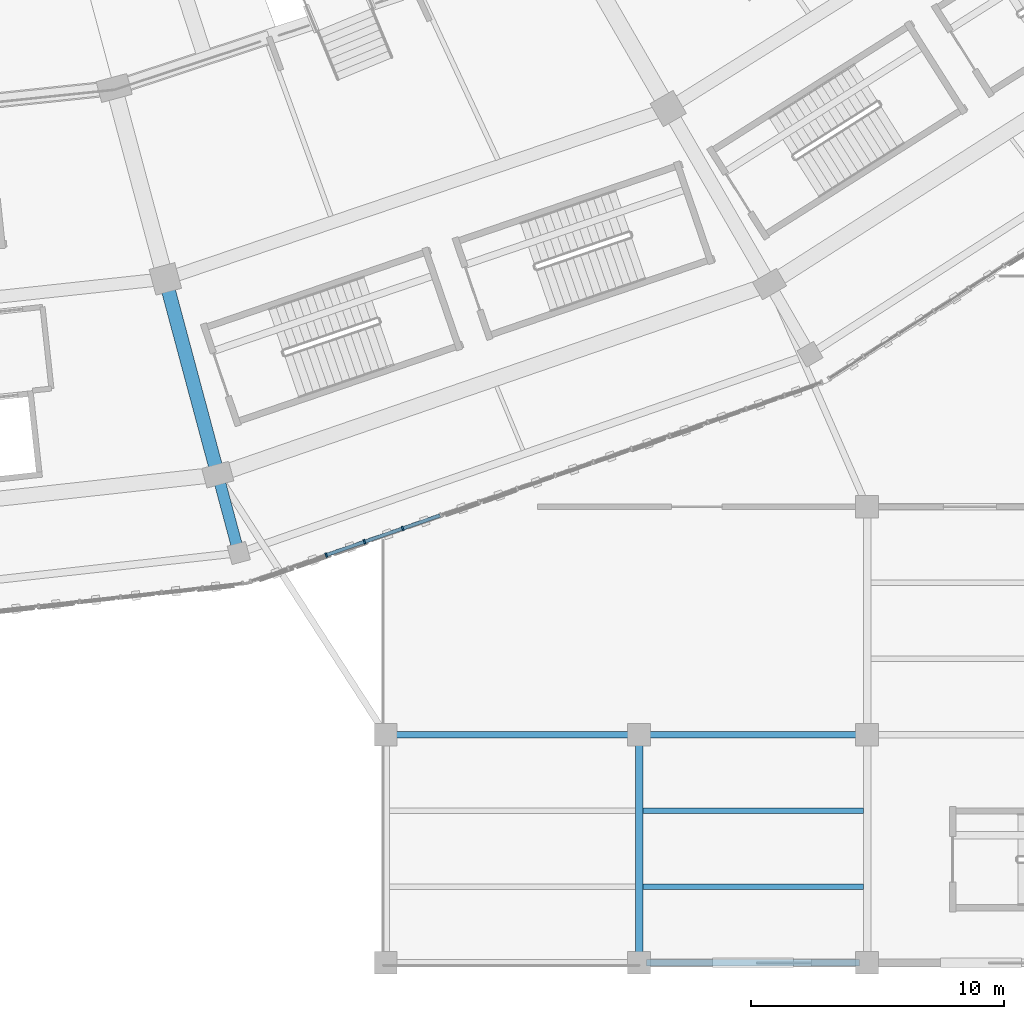
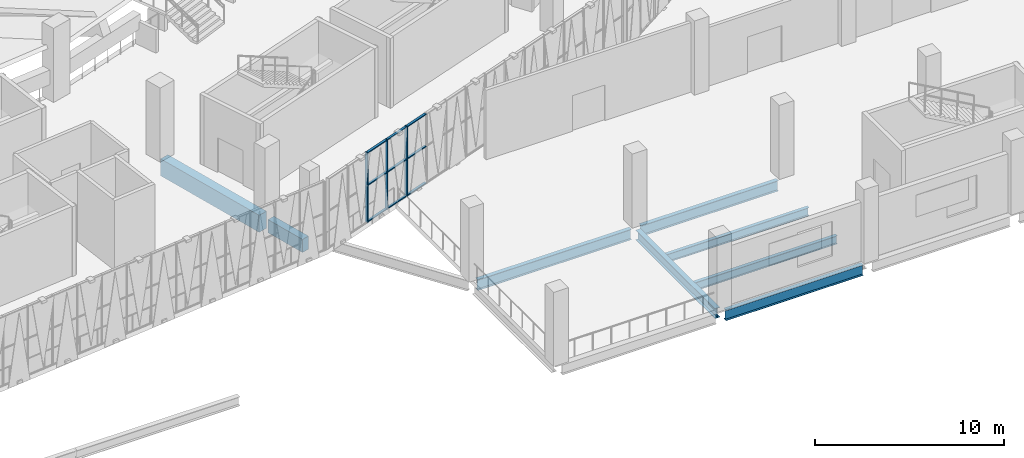
# One storey, part 27 of 183: 12 members, 8 beams, 1 element without a shape of its own.
"""IFC4 building model written with IfcOpenShell, lengths in metres."""

from ifc_helpers import new_model, si_unit, direction, frame, origin, origin_2d, place, context, subcontext, project, spatial, rectangle, i_section, extrude, material, material_profile, profile_set, type_object, element, aggregate, save


model = new_model("IFC4")

# Units and contexts
model_context = context("Model", 3, precision=1e-05, world=origin(), true_north=direction((0.0, 1.0)))
body_context = subcontext(model_context, "Body", "Model", "MODEL_VIEW")
ifc_project = project(units=[si_unit("LENGTHUNIT", "METRE"), si_unit("AREAUNIT", "SQUARE_METRE"), si_unit("VOLUMEUNIT", "CUBIC_METRE"), si_unit("PLANEANGLEUNIT", "RADIAN"), si_unit("MASSUNIT", "GRAM", prefix="KILO")], contexts=[model_context])

# Site, building, storey
site_placement = place(None, origin())
site = spatial("IfcSite", under=ifc_project, at=site_placement, CompositionType="ELEMENT")
building_placement = place(site_placement, origin())
building = spatial("IfcBuilding", under=site, at=building_placement, Name="Zevraka Park Crest Stadium", CompositionType="ELEMENT")
storey_placement = place(building_placement, frame((0.0, 0.0, 5.39990234375)))
storey = spatial("IfcBuildingStorey", under=building, at=storey_placement, Name="L01", CompositionType="ELEMENT", Elevation=5.39990234375)

# Beams
ifc_material_1 = material(Name="Concrete C40/50", Category="concrete")
ifc_material_profile_1 = material_profile(ifc_material_1, rectangle(XDim=0.550048828125, YDim=1.10009765625, at=origin_2d()), Name="RC 1100x550")
ifc_profile_set_1 = profile_set([ifc_material_profile_1], Name="Concrete C40/50")
beam_type_1 = type_object("IfcBeamType", Name="BG02", PredefinedType="BEAM", material=ifc_profile_set_1)
beam_1_placement = place(storey_placement, frame((133.37890625, 26.702880859375, -0.559814453125), z_axis=(0.258697599806, -0.965958359276, 0.0), x_axis=(0.965958359276, 0.258697599806, 0.0)))
element("IfcBeam", 1, at=beam_1_placement, inside=storey, type_object=beam_type_1, Name="Radial Girder BG02 L01-CD-19", PredefinedType="BEAM", context=body_context, shape_type="SweptSolid", body=[
    extrude(rectangle(XDim=0.550048828125, YDim=1.10009765625, at=origin_2d()), origin(), (0.0, 0.0, 1.0), 7.39892578125),
])
ifc_material_2 = material(Name="Concrete C40/50", Category="concrete")
ifc_material_profile_2 = material_profile(ifc_material_2, rectangle(XDim=0.449951171875, YDim=0.85009765625, at=origin_2d()), Name="RC 850x450")
ifc_profile_set_2 = profile_set([ifc_material_profile_2], Name="Concrete C40/50")
beam_type_2 = type_object("IfcBeamType", Name="BG03", PredefinedType="BEAM", material=ifc_profile_set_2)
beam_2_placement = place(storey_placement, frame((135.448974609375, 18.97607421875, -0.434814453125), z_axis=(0.258919157159, -0.965898995784, 0.0), x_axis=(0.965898995784, 0.258919157159, 0.0)))
element("IfcBeam", 2, at=beam_2_placement, inside=storey, type_object=beam_type_2, Name="Radial Girder BG03 L01-DE-19", PredefinedType="BEAM", context=body_context, shape_type="SweptSolid", body=[
    extrude(rectangle(XDim=0.449951171875, YDim=0.85009765625, at=origin_2d()), origin(), (0.0, 0.0, 1.0), 2.599609375),
])
ifc_material_3 = material(Name="Steel S355", Category="steel")
ifc_material_profile_3 = material_profile(ifc_material_3, i_section(OverallWidth=0.253662109375, OverallDepth=0.68359375, WebThickness=0.012451171875, FlangeThickness=0.01904296875, at=origin_2d()), Name="UKB 686x254x140")
ifc_profile_set_3 = profile_set([ifc_material_profile_3], Name="Steel S355")
beam_type_3 = type_object("IfcBeamType", Name="BG05", PredefinedType="BEAM", material=ifc_profile_set_3)
beam_3_placement = place(storey_placement, frame((142.300048828125, 9.0, -0.649658203125), z_axis=(1.0, 0.0, 0.0), x_axis=(0.0, 1.0, 0.0)))
element("IfcBeam", 3, at=beam_3_placement, inside=storey, type_object=beam_type_3, Name="Wing Girder BG05 L01-1617/B", PredefinedType="BEAM", context=body_context, shape_type="SweptSolid", body=[
    extrude(i_section(OverallWidth=0.253662109375, OverallDepth=0.68359375, WebThickness=0.012451171875, FlangeThickness=0.01904296875, at=origin_2d()), origin(), (0.0, 0.0, 1.0), 9.39990234375),
])
for number, where, z_axis, x_axis, name in (
    (4, (152.300048828125, 0.0, -0.649658203125), (1.0, 0.0, 0.0), (0.0, 1.0, 0.0), "Wing Girder BG05 L01-1718/A"),
    (5, (152.300048828125, 9.0, -0.649658203125), (1.0, 0.0, 0.0), (0.0, 1.0, 0.0), "Wing Girder BG05 L01-1718/B"),
):
    element("IfcBeam", number, at=place(storey_placement, frame(where, z_axis=z_axis, x_axis=x_axis)), inside=storey, type_object=beam_type_3, Name=name, PredefinedType="BEAM", context=body_context, shape_type="SweptSolid", body=[
        extrude(i_section(OverallWidth=0.253662109375, OverallDepth=0.68359375, WebThickness=0.012451171875, FlangeThickness=0.01904296875, at=origin_2d()), origin(), (0.0, 0.0, 1.0), 8.39990234375),
    ])
ifc_material_4 = material(Name="Steel S355", Category="steel")
ifc_material_profile_4 = material_profile(ifc_material_4, i_section(OverallWidth=0.300048828125, OverallDepth=0.64990234375, WebThickness=0.01611328125, FlangeThickness=0.031005859375, at=origin_2d()), Name="HEB 650")
ifc_profile_set_4 = profile_set([ifc_material_profile_4], Name="Steel S355")
beam_type_4 = type_object("IfcBeamType", Name="BG07", PredefinedType="BEAM", material=ifc_profile_set_4)
beam_4_placement = place(storey_placement, frame((152.0, 0.300048828125, -0.6328125), z_axis=(0.0, 1.0, 0.0), x_axis=(-1.0, 0.0, 0.0)))
element("IfcBeam", 6, at=beam_4_placement, inside=storey, type_object=beam_type_4, Name="Wing Girder BG07 L01-17/AB", PredefinedType="BEAM", context=body_context, shape_type="SweptSolid", body=[
    extrude(i_section(OverallWidth=0.300048828125, OverallDepth=0.64990234375, WebThickness=0.01611328125, FlangeThickness=0.031005859375, at=origin_2d()), origin(), (0.0, 0.0, 1.0), 8.39990234375),
])

# Curtain wall, members
ifc_material_5 = material(Name="Anodised architectural aluminium and laminated safety glass", Category="aluminium")
curtain_wall_type = type_object("IfcCurtainWallType", Name="CW02", PredefinedType="NOTDEFINED", material=ifc_material_5)
curtain_wall_placement = place(storey_placement, origin())
curtain_wall = element("IfcCurtainWall", 7, at=curtain_wall_placement, inside=storey, type_object=curtain_wall_type, Name="Unitised Ring Curtain Wall CW02 L01-19", PredefinedType="NOTDEFINED")
ifc_material_6 = material(Name="Anodised architectural aluminium", Category="aluminium")
ifc_material_profile_5 = material_profile(ifc_material_6, rectangle(XDim=0.179931640625, YDim=0.06494140625, at=origin_2d()), Name="ALU MULLION 180x65")
ifc_profile_set_5 = profile_set([ifc_material_profile_5], Name="Anodised architectural aluminium")
member_type_1 = type_object("IfcMemberType", Name="CM02", PredefinedType="MULLION", material=ifc_profile_set_5)
member_1_placement = place(storey_placement, frame((139.6552734375, 16.091552734375, 0.0), z_axis=(0.0, 0.0, 1.0), x_axis=(-0.329209289879, 0.944256979565, 0.0)))
member_1 = element("IfcMember", 8, at=member_1_placement, type_object=member_type_1, Name="CW02 mullion 3", PredefinedType="MULLION", context=body_context, shape_type="SweptSolid", body=[
    extrude(rectangle(XDim=0.179931640625, YDim=0.06494140625, at=origin_2d()), origin(), (0.0, 0.0, 1.0), 4.52001953125),
])
member_2_placement = place(storey_placement, frame((141.161865234375, 16.61669921875, 0.0), z_axis=(0.0, 0.0, 1.0), x_axis=(-0.329209289879, 0.944256979565, 0.0)))
member_2 = element("IfcMember", 9, at=member_2_placement, type_object=member_type_1, Name="CW02 mullion 4", PredefinedType="MULLION", context=body_context, shape_type="SweptSolid", body=[
    extrude(rectangle(XDim=0.179931640625, YDim=0.06494140625, at=origin_2d()), origin(), (0.0, 0.0, 1.0), 4.52001953125),
])
member_3_placement = place(storey_placement, frame((142.66845703125, 17.14208984375, 0.0), z_axis=(0.0, 0.0, 1.0), x_axis=(-0.329209289879, 0.944256979565, 0.0)))
member_3 = element("IfcMember", 10, at=member_3_placement, type_object=member_type_1, Name="CW02 mullion 5", PredefinedType="MULLION", context=body_context, shape_type="SweptSolid", body=[
    extrude(rectangle(XDim=0.179931640625, YDim=0.06494140625, at=origin_2d()), origin(), (0.0, 0.0, 1.0), 4.52001953125),
])
ifc_material_7 = material(Name="Anodised architectural aluminium", Category="aluminium")
ifc_material_profile_6 = material_profile(ifc_material_7, rectangle(XDim=0.139892578125, YDim=0.06494140625, at=origin_2d()), Name="ALU TRANSOM 140x65")
ifc_profile_set_6 = profile_set([ifc_material_profile_6], Name="Anodised architectural aluminium")
member_type_2 = type_object("IfcMemberType", Name="CT02", PredefinedType="USERDEFINED", material=ifc_profile_set_6)
member_4_placement = place(storey_placement, frame((139.685791015625, 16.102294921875, 0.03271484375), z_axis=(0.944255540278, 0.329213418097, 0.0), x_axis=(-0.329213418097, 0.944255540278, 0.0)))
member_4 = element("IfcMember", 11, at=member_4_placement, type_object=member_type_2, Name="CW02 transom 3.1", ObjectType="TRANSOM", PredefinedType="USERDEFINED", context=body_context, shape_type="SweptSolid", body=[
    extrude(rectangle(XDim=0.139892578125, YDim=0.06494140625, at=origin_2d()), origin(), (0.0, 0.0, 1.0), 1.530517578125),
])
member_5_placement = place(storey_placement, frame((139.685791015625, 16.102294921875, 2.400146484375), z_axis=(0.944255540278, 0.329213418097, 0.0), x_axis=(-0.329213418097, 0.944255540278, 0.0)))
member_5 = element("IfcMember", 12, at=member_5_placement, type_object=member_type_2, Name="CW02 transom 3.2", ObjectType="TRANSOM", PredefinedType="USERDEFINED", context=body_context, shape_type="SweptSolid", body=[
    extrude(rectangle(XDim=0.139892578125, YDim=0.06494140625, at=origin_2d()), origin(), (0.0, 0.0, 1.0), 1.530517578125),
])
member_6_placement = place(storey_placement, frame((139.685791015625, 16.102294921875, 4.487548828125), z_axis=(0.944255540278, 0.329213418097, 0.0), x_axis=(-0.329213418097, 0.944255540278, 0.0)))
member_6 = element("IfcMember", 13, at=member_6_placement, type_object=member_type_2, Name="CW02 transom 3.3", ObjectType="TRANSOM", PredefinedType="USERDEFINED", context=body_context, shape_type="SweptSolid", body=[
    extrude(rectangle(XDim=0.139892578125, YDim=0.06494140625, at=origin_2d()), origin(), (0.0, 0.0, 1.0), 1.530517578125),
])
member_7_placement = place(storey_placement, frame((141.1923828125, 16.62744140625, 0.03271484375), z_axis=(0.944255540278, 0.329213418097, 0.0), x_axis=(-0.329213418097, 0.944255540278, 0.0)))
member_7 = element("IfcMember", 14, at=member_7_placement, type_object=member_type_2, Name="CW02 transom 4.1", ObjectType="TRANSOM", PredefinedType="USERDEFINED", context=body_context, shape_type="SweptSolid", body=[
    extrude(rectangle(XDim=0.139892578125, YDim=0.06494140625, at=origin_2d()), origin(), (0.0, 0.0, 1.0), 1.530517578125),
])
member_8_placement = place(storey_placement, frame((141.1923828125, 16.62744140625, 2.400146484375), z_axis=(0.944255540278, 0.329213418097, 0.0), x_axis=(-0.329213418097, 0.944255540278, 0.0)))
member_8 = element("IfcMember", 15, at=member_8_placement, type_object=member_type_2, Name="CW02 transom 4.2", ObjectType="TRANSOM", PredefinedType="USERDEFINED", context=body_context, shape_type="SweptSolid", body=[
    extrude(rectangle(XDim=0.139892578125, YDim=0.06494140625, at=origin_2d()), origin(), (0.0, 0.0, 1.0), 1.530517578125),
])
member_9_placement = place(storey_placement, frame((141.1923828125, 16.62744140625, 4.487548828125), z_axis=(0.944255540278, 0.329213418097, 0.0), x_axis=(-0.329213418097, 0.944255540278, 0.0)))
member_9 = element("IfcMember", 16, at=member_9_placement, type_object=member_type_2, Name="CW02 transom 4.3", ObjectType="TRANSOM", PredefinedType="USERDEFINED", context=body_context, shape_type="SweptSolid", body=[
    extrude(rectangle(XDim=0.139892578125, YDim=0.06494140625, at=origin_2d()), origin(), (0.0, 0.0, 1.0), 1.530517578125),
])
member_10_placement = place(storey_placement, frame((142.698974609375, 17.15283203125, 0.03271484375), z_axis=(0.944255540278, 0.329213418097, 0.0), x_axis=(-0.329213418097, 0.944255540278, 0.0)))
member_10 = element("IfcMember", 17, at=member_10_placement, type_object=member_type_2, Name="CW02 transom 5.1", ObjectType="TRANSOM", PredefinedType="USERDEFINED", context=body_context, shape_type="SweptSolid", body=[
    extrude(rectangle(XDim=0.139892578125, YDim=0.06494140625, at=origin_2d()), origin(), (0.0, 0.0, 1.0), 1.530517578125),
])
member_11_placement = place(storey_placement, frame((142.698974609375, 17.15283203125, 2.400146484375), z_axis=(0.944255540278, 0.329213418097, 0.0), x_axis=(-0.329213418097, 0.944255540278, 0.0)))
member_11 = element("IfcMember", 18, at=member_11_placement, type_object=member_type_2, Name="CW02 transom 5.2", ObjectType="TRANSOM", PredefinedType="USERDEFINED", context=body_context, shape_type="SweptSolid", body=[
    extrude(rectangle(XDim=0.139892578125, YDim=0.06494140625, at=origin_2d()), origin(), (0.0, 0.0, 1.0), 1.530517578125),
])
member_12_placement = place(storey_placement, frame((142.698974609375, 17.15283203125, 4.487548828125), z_axis=(0.944255540278, 0.329213418097, 0.0), x_axis=(-0.329213418097, 0.944255540278, 0.0)))
member_12 = element("IfcMember", 19, at=member_12_placement, type_object=member_type_2, Name="CW02 transom 5.3", ObjectType="TRANSOM", PredefinedType="USERDEFINED", context=body_context, shape_type="SweptSolid", body=[
    extrude(rectangle(XDim=0.139892578125, YDim=0.06494140625, at=origin_2d()), origin(), (0.0, 0.0, 1.0), 1.530517578125),
])
aggregate(curtain_wall, [member_1, member_2, member_3, member_4, member_5, member_6, member_7, member_8, member_9, member_10, member_11, member_12])

# Beams
ifc_material_8 = material(Name="Steel S355", Category="steel")
ifc_material_profile_7 = material_profile(ifc_material_8, i_section(OverallWidth=0.209228515625, OverallDepth=0.533203125, WebThickness=0.010009765625, FlangeThickness=0.015625, at=origin_2d()), Name="UKB 533x210x92")
ifc_profile_set_7 = profile_set([ifc_material_profile_7], Name="Steel S355")
beam_type_5 = type_object("IfcBeamType", Name="SJ05", PredefinedType="JOIST", material=ifc_profile_set_7)
for number, where, z_axis, x_axis, name in (
    (20, (152.14501953125, 3.0, -0.576416015625), (1.0, 0.0, 0.0), (0.0, 1.0, 0.0), "Wing Joist SJ05 L01-17/A-1"),
    (21, (152.14501953125, 6.0, -0.576416015625), (1.0, 0.0, 0.0), (0.0, 1.0, 0.0), "Wing Joist SJ05 L01-17/A-2"),
):
    element("IfcBeam", number, at=place(storey_placement, frame(where, z_axis=z_axis, x_axis=x_axis)), inside=storey, type_object=beam_type_5, Name=name, PredefinedType="JOIST", context=body_context, shape_type="SweptSolid", body=[
        extrude(i_section(OverallWidth=0.209228515625, OverallDepth=0.533203125, WebThickness=0.010009765625, FlangeThickness=0.015625, at=origin_2d()), origin(), (0.0, 0.0, 1.0), 8.7099609375),
    ])

save(model, "model.ifc")
